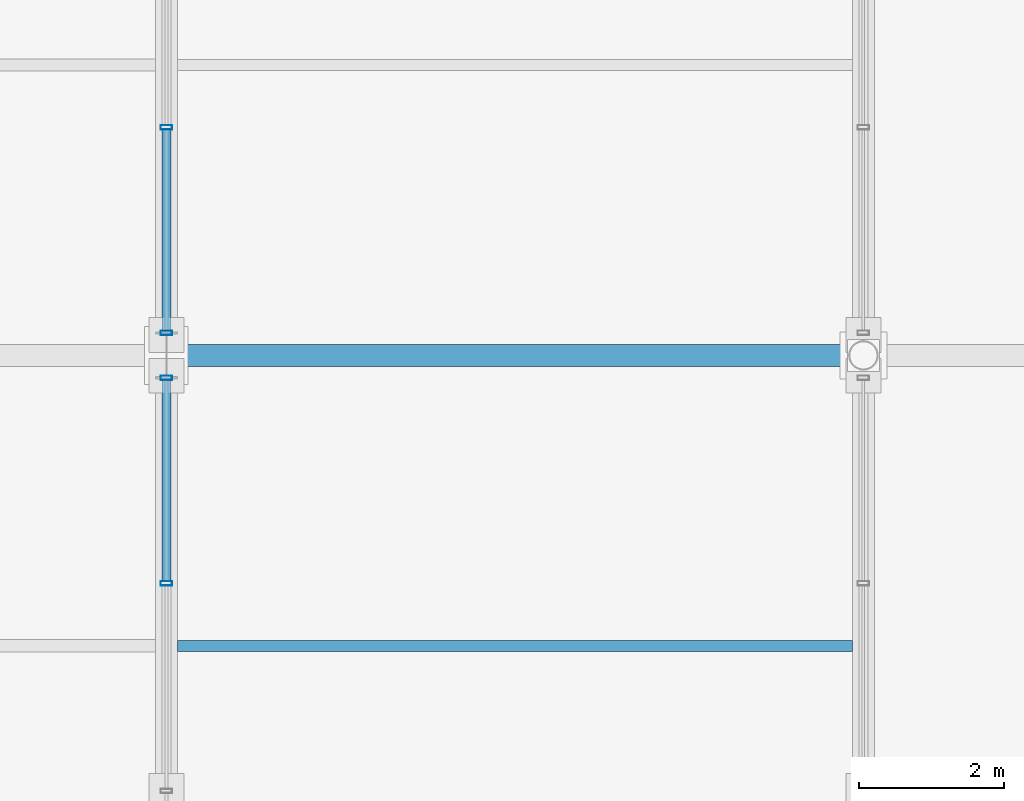
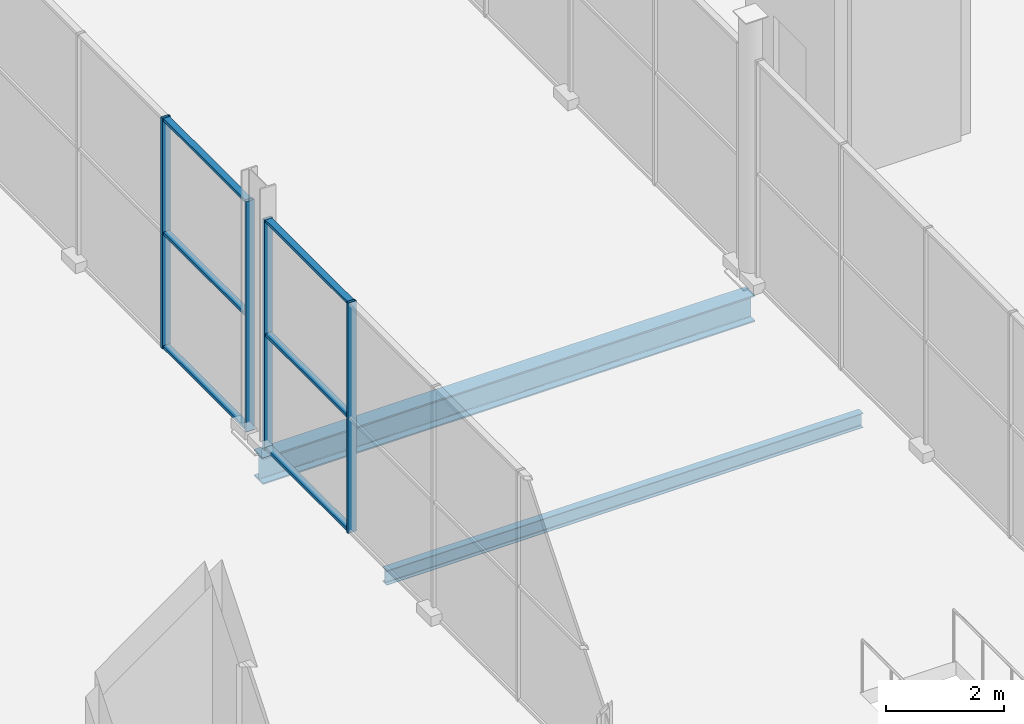
# One storey, part 95 of 196: 10 members, 2 beams, 2 elements without a shape of their own.
"""IFC4 building model written with IfcOpenShell, lengths in metres."""

from ifc_helpers import new_model, si_unit, direction, frame, origin, origin_2d, place, context, subcontext, project, spatial, hollow_rectangle, i_section, extrude, material, material_profile, profile_set, type_object, element, aggregate, save


model = new_model("IFC4")

# Units and contexts
model_context = context("Model", 3, precision=1e-05, world=origin(), true_north=direction((0.0, 1.0)))
body_context = subcontext(model_context, "Body", "Model", "MODEL_VIEW")
ifc_project = project(units=[si_unit("LENGTHUNIT", "METRE"), si_unit("AREAUNIT", "SQUARE_METRE"), si_unit("VOLUMEUNIT", "CUBIC_METRE"), si_unit("PLANEANGLEUNIT", "RADIAN"), si_unit("MASSUNIT", "GRAM", prefix="KILO")], contexts=[model_context])

# Site, building, storey
site_placement = place(None, origin())
site = spatial("IfcSite", under=ifc_project, at=site_placement, CompositionType="ELEMENT")
building_placement = place(site_placement, origin())
building = spatial("IfcBuilding", under=site, at=building_placement, Name="Merenkruunu Market Hall", CompositionType="ELEMENT")
storey_placement = place(building_placement, origin())
storey = spatial("IfcBuildingStorey", under=building, at=storey_placement, Name="L00", CompositionType="ELEMENT", Elevation=0.0)

# Curtain wall, members
ifc_material_1 = material(Name="Powder-coated aluminium", Category="aluminium")
curtain_wall_type = type_object("IfcCurtainWallType", Name="Glazed Curtain Wall CW02", PredefinedType="USERDEFINED", material=ifc_material_1)
curtain_wall_1_placement = place(storey_placement, origin())
curtain_wall_1 = element("IfcCurtainWall", 1, at=curtain_wall_1_placement, inside=storey, type_object=curtain_wall_type, Name="CW-L00-CWM01-130", ObjectType="GLAZED_FACADE", PredefinedType="USERDEFINED")
ifc_material_profile_1 = material_profile(ifc_material_1, hollow_rectangle(XDim=0.06005859375, YDim=0.159912109375, WallThickness=0.00390625, at=origin_2d()), Name="ALU 60x160x4")
ifc_profile_set_1 = profile_set([ifc_material_profile_1], Name="Powder-coated aluminium")
member_type_1 = type_object("IfcMemberType", Name="Curtain Wall Mullion CWM01", PredefinedType="MULLION", material=ifc_profile_set_1)
member_1_placement = place(storey_placement, frame((57.60009765625, 72.4599609375, 0.0), z_axis=(0.0, 0.0, 1.0), x_axis=(0.0, 1.0, 0.0)))
member_1 = element("IfcMember", 2, at=member_1_placement, type_object=member_type_1, Name="CW02 mullion 4", PredefinedType="MULLION", context=body_context, shape_type="SweptSolid", body=[
    extrude(hollow_rectangle(XDim=0.06005859375, YDim=0.159912109375, WallThickness=0.00390625, at=origin_2d()), origin(), (0.0, 0.0, 1.0), 4.75),
])
member_2_placement = place(storey_placement, frame((57.60009765625, 75.2900390625, 0.0), z_axis=(0.0, 0.0, 1.0), x_axis=(0.0, 1.0, 0.0)))
member_2 = element("IfcMember", 3, at=member_2_placement, type_object=member_type_1, Name="CW02 mullion 5", PredefinedType="MULLION", context=body_context, shape_type="SweptSolid", body=[
    extrude(hollow_rectangle(XDim=0.06005859375, YDim=0.159912109375, WallThickness=0.00390625, at=origin_2d()), origin(), (0.0, 0.0, 1.0), 4.75),
])

curtain_wall_2_placement = place(storey_placement, origin())
curtain_wall_2 = element("IfcCurtainWall", 4, at=curtain_wall_2_placement, inside=storey, type_object=curtain_wall_type, Name="CW-L00-CWM01-133", ObjectType="GLAZED_FACADE", PredefinedType="USERDEFINED")
member_3_placement = place(storey_placement, frame((57.60009765625, 75.909912109375, 0.0), z_axis=(0.0, 0.0, 1.0), x_axis=(0.0, 1.0, 0.0)))
member_3 = element("IfcMember", 5, at=member_3_placement, type_object=member_type_1, Name="CW02 mullion 1", PredefinedType="MULLION", context=body_context, shape_type="SweptSolid", body=[
    extrude(hollow_rectangle(XDim=0.06005859375, YDim=0.159912109375, WallThickness=0.00390625, at=origin_2d()), origin(), (0.0, 0.0, 1.0), 4.75),
])
member_4_placement = place(storey_placement, frame((57.60009765625, 78.739990234375, 0.0), z_axis=(0.0, 0.0, 1.0), x_axis=(0.0, 1.0, 0.0)))
member_4 = element("IfcMember", 6, at=member_4_placement, type_object=member_type_1, Name="CW02 mullion 2", PredefinedType="MULLION", context=body_context, shape_type="SweptSolid", body=[
    extrude(hollow_rectangle(XDim=0.06005859375, YDim=0.159912109375, WallThickness=0.00390625, at=origin_2d()), origin(), (0.0, 0.0, 1.0), 4.75),
])

# Member
ifc_material_profile_2 = material_profile(ifc_material_1, hollow_rectangle(XDim=0.06005859375, YDim=0.125, WallThickness=0.00390625, at=origin_2d()), Name="ALU 60x125x4")
ifc_profile_set_2 = profile_set([ifc_material_profile_2], Name="Powder-coated aluminium")
member_type_2 = type_object("IfcMemberType", Name="Curtain Wall Transom CWT01", PredefinedType="USERDEFINED", material=ifc_profile_set_2)
member_5_placement = place(storey_placement, frame((57.60009765625, 72.489990234375, 0.030029296875), z_axis=(0.0, 1.0, 0.0), x_axis=(0.0, 0.0, 1.0)))
member_5 = element("IfcMember", 7, at=member_5_placement, type_object=member_type_2, Name="CW02 transom 4.1", ObjectType="TRANSOM", PredefinedType="USERDEFINED", context=body_context, shape_type="SweptSolid", body=[
    extrude(hollow_rectangle(XDim=0.06005859375, YDim=0.125, WallThickness=0.00390625, at=origin_2d()), origin(), (0.0, 0.0, 1.0), 2.77001953125),
])

member_6_placement = place(storey_placement, frame((57.60009765625, 72.489990234375, 2.375), z_axis=(0.0, 1.0, 0.0), x_axis=(0.0, 0.0, 1.0)))
member_6 = element("IfcMember", 8, at=member_6_placement, type_object=member_type_2, Name="CW02 transom 4.2", ObjectType="TRANSOM", PredefinedType="USERDEFINED", context=body_context, shape_type="SweptSolid", body=[
    extrude(hollow_rectangle(XDim=0.06005859375, YDim=0.125, WallThickness=0.00390625, at=origin_2d()), origin(), (0.0, 0.0, 1.0), 2.77001953125),
])

member_7_placement = place(storey_placement, frame((57.60009765625, 72.489990234375, 4.719970703125), z_axis=(0.0, 1.0, 0.0), x_axis=(0.0, 0.0, 1.0)))
member_7 = element("IfcMember", 9, at=member_7_placement, type_object=member_type_2, Name="CW02 transom 4.3", ObjectType="TRANSOM", PredefinedType="USERDEFINED", context=body_context, shape_type="SweptSolid", body=[
    extrude(hollow_rectangle(XDim=0.06005859375, YDim=0.125, WallThickness=0.00390625, at=origin_2d()), origin(), (0.0, 0.0, 1.0), 2.77001953125),
])

aggregate(curtain_wall_1, [member_1, member_2, member_5, member_6, member_7])

member_8_placement = place(storey_placement, frame((57.60009765625, 75.93994140625, 0.030029296875), z_axis=(0.0, 1.0, 0.0), x_axis=(0.0, 0.0, 1.0)))
member_8 = element("IfcMember", 10, at=member_8_placement, type_object=member_type_2, Name="CW02 transom 1.1", ObjectType="TRANSOM", PredefinedType="USERDEFINED", context=body_context, shape_type="SweptSolid", body=[
    extrude(hollow_rectangle(XDim=0.06005859375, YDim=0.125, WallThickness=0.00390625, at=origin_2d()), origin(), (0.0, 0.0, 1.0), 2.77001953125),
])

member_9_placement = place(storey_placement, frame((57.60009765625, 75.93994140625, 2.375), z_axis=(0.0, 1.0, 0.0), x_axis=(0.0, 0.0, 1.0)))
member_9 = element("IfcMember", 11, at=member_9_placement, type_object=member_type_2, Name="CW02 transom 1.2", ObjectType="TRANSOM", PredefinedType="USERDEFINED", context=body_context, shape_type="SweptSolid", body=[
    extrude(hollow_rectangle(XDim=0.06005859375, YDim=0.125, WallThickness=0.00390625, at=origin_2d()), origin(), (0.0, 0.0, 1.0), 2.77001953125),
])

member_10_placement = place(storey_placement, frame((57.60009765625, 75.93994140625, 4.719970703125), z_axis=(0.0, 1.0, 0.0), x_axis=(0.0, 0.0, 1.0)))
member_10 = element("IfcMember", 12, at=member_10_placement, type_object=member_type_2, Name="CW02 transom 1.3", ObjectType="TRANSOM", PredefinedType="USERDEFINED", context=body_context, shape_type="SweptSolid", body=[
    extrude(hollow_rectangle(XDim=0.06005859375, YDim=0.125, WallThickness=0.00390625, at=origin_2d()), origin(), (0.0, 0.0, 1.0), 2.77001953125),
])

aggregate(curtain_wall_2, [member_3, member_4, member_8, member_9, member_10])

# Beams
ifc_material_2 = material(Name="Steel S355J2", Category="steel")
ifc_material_profile_3 = material_profile(ifc_material_2, i_section(OverallWidth=0.300048828125, OverallDepth=0.550048828125, WebThickness=0.014892578125, FlangeThickness=0.029052734375, FilletRadius=0.027099609375, at=origin_2d()), Name="HEB 550")
ifc_profile_set_3 = profile_set([ifc_material_profile_3], Name="Steel S355J2")
beam_type_1 = type_object("IfcBeamType", Name="Primary Floor Girder B02", PredefinedType="BEAM", material=ifc_profile_set_3)
beam_1_placement = place(storey_placement, frame((57.60009765625, 75.60009765625, -0.574951171875), z_axis=(1.0, 0.0, 0.0), x_axis=(0.0, 1.0, 0.0)))
element("IfcBeam", 13, at=beam_1_placement, inside=storey, type_object=beam_type_1, Name="BM-L00-B02-0104", PredefinedType="BEAM", context=body_context, shape_type="SweptSolid", body=[
    extrude(i_section(OverallWidth=0.300048828125, OverallDepth=0.550048828125, WebThickness=0.014892578125, FlangeThickness=0.029052734375, FilletRadius=0.027099609375, at=origin_2d()), origin(), (0.0, 0.0, 1.0), 9.599853515625),
])
ifc_material_profile_4 = material_profile(ifc_material_2, i_section(OverallWidth=0.14990234375, OverallDepth=0.300048828125, WebThickness=0.007080078125, FlangeThickness=0.0107421875, FilletRadius=0.014892578125, at=origin_2d()), Name="IPE 300")
ifc_profile_set_4 = profile_set([ifc_material_profile_4], Name="Steel S355J2")
beam_type_2 = type_object("IfcBeamType", Name="Secondary Floor Joist J04", PredefinedType="JOIST", material=ifc_profile_set_4)
beam_2_placement = place(storey_placement, frame((57.7529296875, 71.60009765625, -0.449951171875), z_axis=(1.0, 0.0, 0.0), x_axis=(0.0, 1.0, 0.0)))
element("IfcBeam", 14, at=beam_2_placement, inside=storey, type_object=beam_type_2, Name="BM-L00-J04-0353", PredefinedType="JOIST", context=body_context, shape_type="SweptSolid", body=[
    extrude(i_section(OverallWidth=0.14990234375, OverallDepth=0.300048828125, WebThickness=0.007080078125, FlangeThickness=0.0107421875, FilletRadius=0.014892578125, at=origin_2d()), origin(), (0.0, 0.0, 1.0), 9.294189453125),
])

save(model, "model.ifc")
